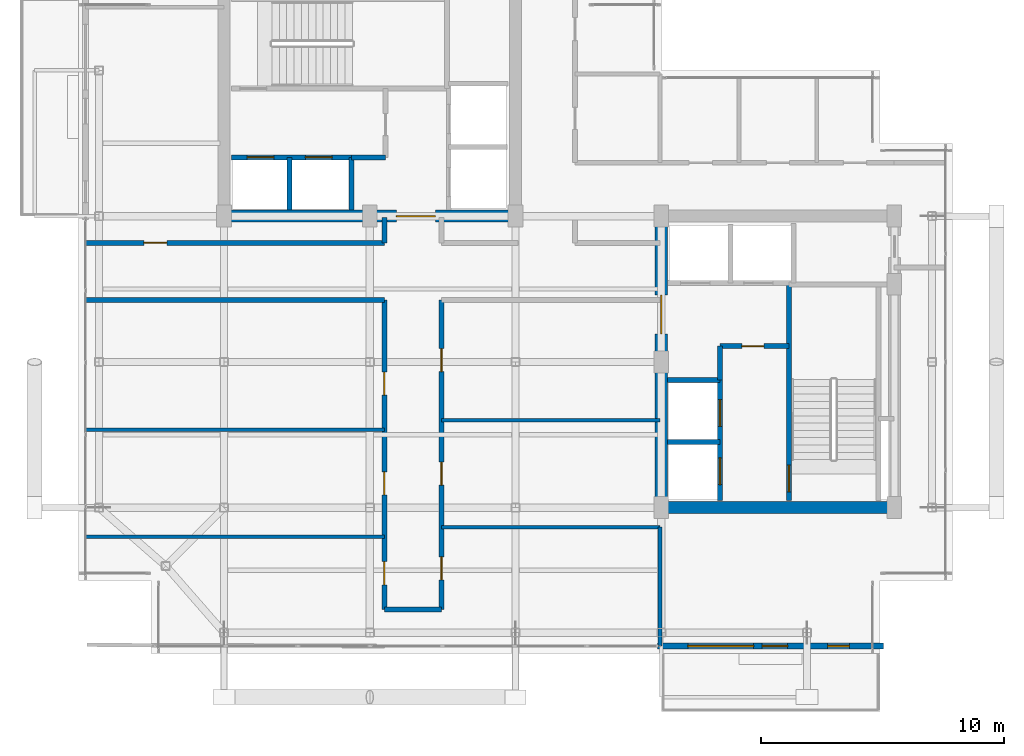
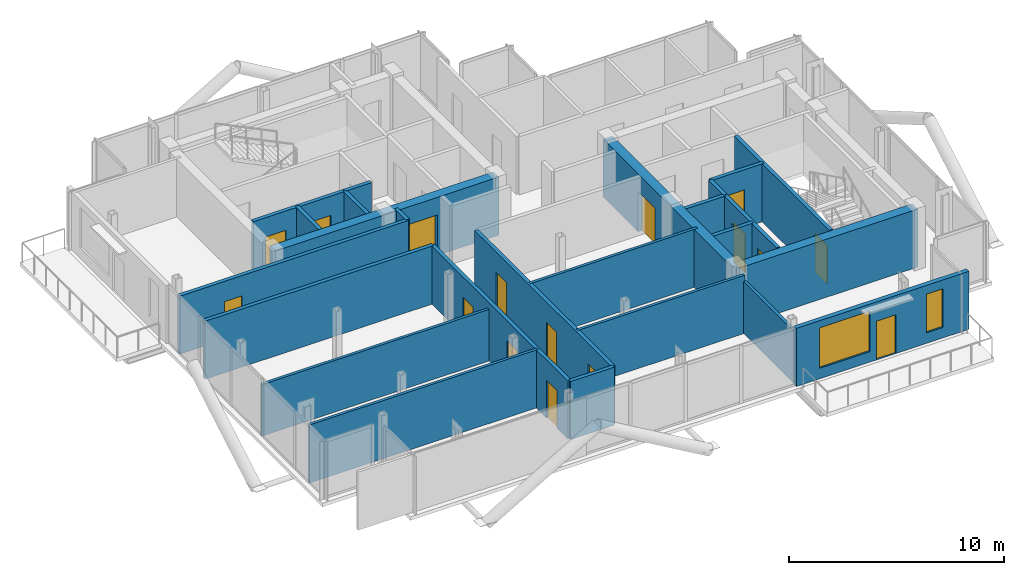
# One storey, part 15 of 19: 25 walls, 16 doors, 2 windows, 18 openings.
"""IFC4 building model written with IfcOpenShell, lengths in metres."""

import ifcopenshell
import ifcopenshell.guid

model = None  # the IFC model being written
_history = None  # IfcOwnerHistory: only IFC2X3 demands one
_inside = {}  # id of a spatial element -> (the spatial element, [elements in it])
_under = {}  # id of a project, library or spatial element -> (it, [spatial elements below it])
_declared = {}  # id of a project -> (the project, [libraries it declares])
_typed = {}  # id of a type object -> (the type object, [elements of that type])
_made_of = {}  # id of a material, layer set ... -> (it, [elements and type objects made of it])


def new_model(schema):
    """Start an empty IFC model of exactly this schema.

    Asked for "IFC4X3", IfcOpenShell would pick the latest addendum, in which some entities
    have other attributes; the version numbers below select the first issue.
    IFC2X3 requires an IfcOwnerHistory on every rooted entity: one is made here for all.
    """
    global model, _history
    if schema == "IFC4X3":
        model = ifcopenshell.file(schema_version=(4, 3, 0, 0))
    else:
        model = ifcopenshell.file(schema=schema)
    _inside.clear()
    _under.clear()
    _declared.clear()
    _typed.clear()
    _made_of.clear()
    _history = None
    if model.schema == "IFC2X3":
        org = make("IfcOrganization", Name="unknown")
        user = make(
            "IfcPersonAndOrganization",
            ThePerson=make("IfcPerson", FamilyName="unknown"),
            TheOrganization=org,
        )
        app = make(
            "IfcApplication",
            ApplicationDeveloper=org,
            Version="unknown",
            ApplicationFullName="unknown",
            ApplicationIdentifier="unknown",
        )
        _history = make(
            "IfcOwnerHistory",
            OwningUser=user,
            OwningApplication=app,
            ChangeAction="ADDED",
            CreationDate=0,
        )
    return model


def make(cls, **values):
    """One entity of the class cls with the attributes given. An attribute that is None is left unset."""
    return model.create_entity(
        cls, **{name: value for name, value in values.items() if value is not None}
    )


def rooted(cls, **values):
    """An entity with a GlobalId (a new one), such as an element, a storey or a relation."""
    return make(cls, GlobalId=ifcopenshell.guid.new(), OwnerHistory=_history, **values)


def si_unit(unit_type, name, prefix=None):
    """IfcSIUnit, for example si_unit("LENGTHUNIT", "METRE", prefix="MILLI")."""
    return make("IfcSIUnit", UnitType=unit_type, Prefix=prefix, Name=name)


def assignment(units):
    """IfcUnitAssignment: the units of a project."""
    return None if units is None else make("IfcUnitAssignment", Units=units)


def point(xyz):
    """IfcCartesianPoint."""
    return None if xyz is None else make("IfcCartesianPoint", Coordinates=xyz)


def direction(xyz):
    """IfcDirection."""
    return None if xyz is None else make("IfcDirection", DirectionRatios=xyz)


def frame(location, z_axis=None, x_axis=None):
    """IfcAxis2Placement3D, a coordinate frame: its origin and axes. An axis left out is left unset."""
    return make(
        "IfcAxis2Placement3D",
        Location=point(location),
        Axis=direction(z_axis),
        RefDirection=direction(x_axis),
    )


def frame_2d(location, x_axis=None):
    """IfcAxis2Placement2D, a coordinate frame in the plane: its origin and x axis."""
    return make(
        "IfcAxis2Placement2D", Location=point(location), RefDirection=direction(x_axis)
    )


def origin():
    """The frame at (0, 0, 0) with its axes left unset."""
    return frame((0.0, 0.0, 0.0))


def place(relative_to, where):
    """IfcLocalPlacement: puts the frame where relative to a parent placement (None: the world)."""
    return make(
        "IfcLocalPlacement", PlacementRelTo=relative_to, RelativePlacement=where
    )


def context(
    kind, dimensions, precision=None, world=None, true_north=None, identifier=None
):
    """IfcGeometricRepresentationContext, for example the 3D "Model" context."""
    return make(
        "IfcGeometricRepresentationContext",
        ContextIdentifier=identifier,
        ContextType=kind,
        CoordinateSpaceDimension=dimensions,
        Precision=precision,
        WorldCoordinateSystem=world,
        TrueNorth=true_north,
    )


def subcontext(parent, identifier, kind, view, scale=None):
    """IfcGeometricRepresentationSubContext, for example "Body" below "Model"."""
    return make(
        "IfcGeometricRepresentationSubContext",
        ContextIdentifier=identifier,
        ContextType=kind,
        ParentContext=parent,
        TargetScale=scale,
        TargetView=view,
    )


def project(units=None, contexts=None):
    """IfcProject with its units and contexts."""
    return rooted(
        "IfcProject",
        Name="project",
        RepresentationContexts=contexts,
        UnitsInContext=assignment(units),
    )


def spatial(cls, under=None, at=None, **own):
    """A site, building, storey or space (cls), placed at a placement, below another one or the project."""
    s = rooted(cls, ObjectPlacement=at, **own)
    if under is not None:
        _under.setdefault(under.id(), (under, []))[1].append(s)
    return s


def profile(cls, at=None, kind="AREA", **sizes):
    """A parametric profile (cls). Its sizes go by their IFC names, for example OverallWidth=200.0."""
    return make(cls, ProfileType=kind, Position=at, **sizes)


def rectangle(**sizes):
    """IfcRectangleProfileDef."""
    return profile("IfcRectangleProfileDef", **sizes)


def extrude(swept, where, along, depth):
    """IfcExtrudedAreaSolid: the profile swept, set in the frame where, extruded along a direction by depth."""
    return make(
        "IfcExtrudedAreaSolid",
        SweptArea=swept,
        Position=where,
        ExtrudedDirection=direction(along),
        Depth=depth,
    )


def shape(context_of_items, identifier, shape_type, items):
    """IfcShapeRepresentation: the items that make up one representation, for example the "Body"."""
    return make(
        "IfcShapeRepresentation",
        ContextOfItems=context_of_items,
        RepresentationIdentifier=identifier,
        RepresentationType=shape_type,
        Items=items,
    )


def material(Name=None, Category=None):
    """IfcMaterial."""
    return make("IfcMaterial", Name=Name, Category=Category)


def layer(
    of_material, thickness, ventilated=None, Name=None, Category=None, Priority=None
):
    """IfcMaterialLayer: one layer of a wall or slab, of a material (None: an air gap)."""
    return make(
        "IfcMaterialLayer",
        Material=of_material,
        LayerThickness=thickness,
        IsVentilated=ventilated,
        Name=Name,
        Category=Category,
        Priority=Priority,
    )


def layer_set(layers, Name=None):
    """IfcMaterialLayerSet."""
    return make("IfcMaterialLayerSet", MaterialLayers=layers, LayerSetName=Name)


def made_of(thing, what):
    """Note that an element or type object is made of a material, layer set ...; save() writes the relation."""
    if what is not None:
        _made_of.setdefault(what.id(), (what, []))[1].append(thing)
    return thing


def type_object(cls, material=None, **own):
    """A type object (cls), such as IfcWallType, which elements share."""
    return made_of(rooted(cls, **own), material)


def element(
    cls,
    number,
    at=None,
    inside=None,
    cuts=None,
    type_object=None,
    material=None,
    context=None,
    identifier="Body",
    shape_type=None,
    held_by="IfcProductDefinitionShape",
    body=None,
    shapes=None,
    **own,
):
    """One element of the class cls, such as IfcWall. Its Tag is "e" and its number.

    at: its placement. inside: the storey or other place that contains it. cuts: it is an
    opening in that element (IfcRelVoidsElement). A single representation is given by context,
    identifier, shape_type and body (its items); several are given by shapes. held_by: the class
    of the entity that holds the representations. save() writes the other relations.
    """
    e = rooted(cls, Tag="e%d" % number, ObjectPlacement=at, **own)
    if body is not None:
        shapes = [shape(context, identifier, shape_type, body)]
    if shapes is not None:
        e.Representation = make(held_by, Representations=shapes)
    if inside is not None:
        _inside.setdefault(inside.id(), (inside, []))[1].append(e)
    if cuts is not None:
        rooted(
            "IfcRelVoidsElement", RelatingBuildingElement=cuts, RelatedOpeningElement=e
        )
    if type_object is not None:
        _typed.setdefault(type_object.id(), (type_object, []))[1].append(e)
    return made_of(e, material)


def fill(opening, filler):
    """IfcRelFillsElement: the door or window that sits in an opening."""
    return rooted(
        "IfcRelFillsElement",
        RelatingOpeningElement=opening,
        RelatedBuildingElement=filler,
    )


def aggregate(whole, parts):
    """IfcRelAggregates: a whole, such as a stair, and the parts it consists of."""
    return rooted("IfcRelAggregates", RelatingObject=whole, RelatedObjects=parts)


def save(model, path):
    """Write the relations noted so far, then the file.

    IfcRelAggregates (storeys below a building ...), IfcRelContainedInSpatialStructure (elements
    in a storey), IfcRelDefinesByType, IfcRelAssociatesMaterial and IfcRelDeclares: one each for
    every whole, place, type object, material and project.
    """
    for whole, parts in _under.values():
        aggregate(whole, parts)
    for where, things in _inside.values():
        rooted(
            "IfcRelContainedInSpatialStructure",
            RelatedElements=things,
            RelatingStructure=where,
        )
    for kind, things in _typed.values():
        rooted("IfcRelDefinesByType", RelatedObjects=things, RelatingType=kind)
    for what, things in _made_of.values():
        rooted("IfcRelAssociatesMaterial", RelatedObjects=things, RelatingMaterial=what)
    for by, libraries in _declared.values():
        rooted("IfcRelDeclares", RelatingContext=by, RelatedDefinitions=libraries)
    model.write(path)


model = new_model("IFC4")

# Units and contexts
model_context = context("Model", 3, precision=1e-05, world=origin(), true_north=direction((0.0, 1.0)))
body_context = subcontext(model_context, "Body", "Model", "MODEL_VIEW")
ifc_project = project(units=[si_unit("LENGTHUNIT", "METRE"), si_unit("AREAUNIT", "SQUARE_METRE"), si_unit("VOLUMEUNIT", "CUBIC_METRE"), si_unit("PLANEANGLEUNIT", "RADIAN"), si_unit("MASSUNIT", "GRAM", prefix="KILO"), si_unit("THERMODYNAMICTEMPERATUREUNIT", "KELVIN"), si_unit("POWERUNIT", "WATT")], contexts=[model_context])

# Site, building, storey
site_placement = place(None, origin())
site = spatial("IfcSite", under=ifc_project, at=site_placement, CompositionType="ELEMENT")
building_placement = place(site_placement, origin())
building = spatial("IfcBuilding", under=site, at=building_placement, Name="Svarakhadi Broadcast Tower", CompositionType="ELEMENT")
storey_placement = place(building_placement, frame((0.0, 0.0, 271.199951171875)))
storey = spatial("IfcBuildingStorey", under=building, at=storey_placement, Name="L68", CompositionType="ELEMENT", Elevation=271.199951171875)

# Wall, openings, doors
ifc_material_1 = material(Name="Double-Stud Acoustic Studio Partition STC-62", Category="gypsum")
ifc_layer_1 = layer(ifc_material_1, 0.199951171875)
ifc_layer_set_1 = layer_set([ifc_layer_1], Name="Double-Stud Acoustic Studio Partition STC-62")
wall_type_1 = type_object("IfcWallType", Name="Wall_Acoust_200", PredefinedType="PARTITIONING", material=ifc_layer_set_1)
wall_1_placement = place(storey_placement, frame((12.60009765625, 1.800048828125, 0.0), z_axis=(0.0, 0.0, 1.0), x_axis=(0.0, 1.0, 0.0)))
wall_1 = element("IfcWall", 1, at=wall_1_placement, inside=storey, type_object=wall_type_1, Name="L68 Upper Tower Concourse Wall", PredefinedType="PARTITIONING", context=body_context, shape_type="SweptSolid", body=[
    extrude(rectangle(XDim=12.75, YDim=0.199951171875, at=frame_2d((6.375, 0.0))), origin(), (0.0, 0.0, 1.0), 3.300048828125),
])
opening_1_placement = place(wall_1_placement, frame((1.02490234375, 0.0, 0.0)))
opening_1 = element("IfcOpeningElement", 2, at=opening_1_placement, cuts=wall_1, Name="Opening D-07", PredefinedType="OPENING", context=body_context, shape_type="SweptSolid", body=[
    extrude(rectangle(XDim=0.949951171875, YDim=2.14990234375, at=frame_2d((0.47509765625, 1.074951171875))), frame((0.0, 0.10986328125, 0.0), z_axis=(0.0, -1.0, 0.0), x_axis=(1.0, 0.0, 0.0)), (0.0, 0.0, 1.0), 0.219970703125),
])
opening_2_placement = place(wall_1_placement, frame((4.72509765625, 0.0, 0.0)))
opening_2 = element("IfcOpeningElement", 3, at=opening_2_placement, cuts=wall_1, Name="Opening D-07", PredefinedType="OPENING", context=body_context, shape_type="SweptSolid", body=[
    extrude(rectangle(XDim=0.949951171875, YDim=2.14990234375, at=frame_2d((0.47509765625, 1.074951171875))), frame((0.0, 0.10986328125, 0.0), z_axis=(0.0, -1.0, 0.0), x_axis=(1.0, 0.0, 0.0)), (0.0, 0.0, 1.0), 0.219970703125),
])
opening_3_placement = place(wall_1_placement, frame((8.830078125, 0.0, 0.0)))
opening_3 = element("IfcOpeningElement", 4, at=opening_3_placement, cuts=wall_1, Name="Opening D-06", PredefinedType="OPENING", context=body_context, shape_type="SweptSolid", body=[
    extrude(rectangle(XDim=0.949951171875, YDim=2.14990234375, at=frame_2d((0.47509765625, 1.074951171875))), frame((0.0, 0.10986328125, 0.0), z_axis=(0.0, -1.0, 0.0), x_axis=(1.0, 0.0, 0.0)), (0.0, 0.0, 1.0), 0.219970703125),
])
ifc_material_2 = material(Name="Solid-Core Teak Veneer Acoustic Timber Leaf", Category="wood")
door_type_1 = type_object("IfcDoorType", Name="Door_Office_D06", OperationType="SINGLE_SWING_LEFT", PredefinedType="DOOR", material=ifc_material_2)
door_1_placement = place(opening_3_placement, origin())
door_1 = element("IfcDoor", 5, at=door_1_placement, inside=storey, type_object=door_type_1, Name="L68 Curatorial Conservation Study Door", OperationType="SINGLE_SWING_LEFT", OverallHeight=2.14990234375, OverallWidth=0.949951171875, PredefinedType="DOOR", context=body_context, shape_type="SweptSolid", body=[
    extrude(rectangle(XDim=0.949951171875, YDim=2.14990234375, at=frame_2d((0.47509765625, 1.074951171875))), frame((0.0, 0.02490234375, 0.0), z_axis=(0.0, -1.0, 0.0), x_axis=(1.0, 0.0, 0.0)), (0.0, 0.0, 1.0), 0.050048828125),
])
fill(opening_3, door_1)
door_type_2 = type_object("IfcDoorType", Name="Door_Office_D07", OperationType="SINGLE_SWING_RIGHT", PredefinedType="DOOR", material=ifc_material_2)
door_2_placement = place(opening_1_placement, origin())
door_2 = element("IfcDoor", 6, at=door_2_placement, inside=storey, type_object=door_type_2, Name="L68 Sky Conservatory Music Recital Salon Door", OperationType="SINGLE_SWING_RIGHT", OverallHeight=2.14990234375, OverallWidth=0.949951171875, PredefinedType="DOOR", context=body_context, shape_type="SweptSolid", body=[
    extrude(rectangle(XDim=0.949951171875, YDim=2.14990234375, at=frame_2d((0.47509765625, 1.074951171875))), frame((0.0, 0.02490234375, 0.0), z_axis=(0.0, -1.0, 0.0), x_axis=(1.0, 0.0, 0.0)), (0.0, 0.0, 1.0), 0.050048828125),
])
fill(opening_1, door_2)
door_3_placement = place(opening_2_placement, origin())
door_3 = element("IfcDoor", 7, at=door_3_placement, inside=storey, type_object=door_type_2, Name="L68 Private Collectors Art Gallery Door", OperationType="SINGLE_SWING_RIGHT", OverallHeight=2.14990234375, OverallWidth=0.949951171875, PredefinedType="DOOR", context=body_context, shape_type="SweptSolid", body=[
    extrude(rectangle(XDim=0.949951171875, YDim=2.14990234375, at=frame_2d((0.47509765625, 1.074951171875))), frame((0.0, 0.02490234375, 0.0), z_axis=(0.0, -1.0, 0.0), x_axis=(1.0, 0.0, 0.0)), (0.0, 0.0, 1.0), 0.050048828125),
])
fill(opening_2, door_3)

# Wall
wall_2_placement = place(storey_placement, frame((12.60009765625, 14.550048828125, 0.0), z_axis=(0.0, 0.0, 1.0), x_axis=(-1.0, 0.0, 0.0)))
element("IfcWall", 8, at=wall_2_placement, inside=storey, type_object=wall_type_1, Name="L68 Upper Tower Concourse Wall", PredefinedType="PARTITIONING", context=body_context, shape_type="SweptSolid", body=[
    extrude(rectangle(XDim=12.300048828125, YDim=0.199951171875, at=frame_2d((6.14990234375, 0.0))), origin(), (0.0, 0.0, 1.0), 3.300048828125),
])

# Wall, opening, door
wall_3_placement = place(storey_placement, frame((0.300048828125, 16.89990234375, 0.0), z_axis=(0.0, 0.0, 1.0), x_axis=(1.0, 0.0, 0.0)))
wall_3 = element("IfcWall", 9, at=wall_3_placement, inside=storey, type_object=wall_type_1, Name="L68 Upper Tower Concourse Wall", PredefinedType="PARTITIONING", context=body_context, shape_type="SweptSolid", body=[
    extrude(rectangle(XDim=12.300048828125, YDim=0.199951171875, at=frame_2d((6.14990234375, 0.0))), origin(), (0.0, 0.0, 1.0), 3.300048828125),
])
opening_4_placement = place(wall_3_placement, frame((2.39990234375, 0.0, 0.0)))
opening_4 = element("IfcOpeningElement", 10, at=opening_4_placement, cuts=wall_3, Name="Opening D-06", PredefinedType="OPENING", context=body_context, shape_type="SweptSolid", body=[
    extrude(rectangle(XDim=0.949951171875, YDim=2.14990234375, at=frame_2d((0.47509765625, 1.074951171875))), frame((0.0, 0.10986328125, 0.0), z_axis=(0.0, -1.0, 0.0), x_axis=(1.0, 0.0, 0.0)), (0.0, 0.0, 1.0), 0.219970703125),
])
door_4_placement = place(opening_4_placement, origin())
door_4 = element("IfcDoor", 11, at=door_4_placement, inside=storey, type_object=door_type_1, Name="L68 Sky Library Reading Salon Door", OperationType="SINGLE_SWING_LEFT", OverallHeight=2.14990234375, OverallWidth=0.949951171875, PredefinedType="DOOR", context=body_context, shape_type="SweptSolid", body=[
    extrude(rectangle(XDim=0.949951171875, YDim=2.14990234375, at=frame_2d((0.47509765625, 1.074951171875))), frame((0.0, 0.02490234375, 0.0), z_axis=(0.0, -1.0, 0.0), x_axis=(1.0, 0.0, 0.0)), (0.0, 0.0, 1.0), 0.050048828125),
])
fill(opening_4, door_4)

# Wall
wall_4_placement = place(storey_placement, frame((12.60009765625, 16.89990234375, 0.0), z_axis=(0.0, 0.0, 1.0), x_axis=(0.0, 1.0, 0.0)))
element("IfcWall", 12, at=wall_4_placement, inside=storey, type_object=wall_type_1, Name="L68 Upper Tower Concourse Wall", PredefinedType="PARTITIONING", context=body_context, shape_type="SweptSolid", body=[
    extrude(rectangle(XDim=1.050048828125, YDim=0.199951171875, at=frame_2d((0.52490234375, 0.0))), origin(), (0.0, 0.0, 1.0), 3.300048828125),
])

# Wall, openings, doors
wall_5_placement = place(storey_placement, frame((14.949951171875, 14.550048828125, 0.0), z_axis=(0.0, 0.0, 1.0), x_axis=(0.0, -1.0, 0.0)))
wall_5 = element("IfcWall", 13, at=wall_5_placement, inside=storey, type_object=wall_type_1, Name="L68 Upper Tower Concourse Wall", PredefinedType="PARTITIONING", context=body_context, shape_type="SweptSolid", body=[
    extrude(rectangle(XDim=12.75, YDim=0.199951171875, at=frame_2d((6.375, 0.0))), origin(), (0.0, 0.0, 1.0), 3.300048828125),
])
opening_5_placement = place(wall_5_placement, frame((10.574951171875, 0.0, 0.0)))
opening_5 = element("IfcOpeningElement", 14, at=opening_5_placement, cuts=wall_5, Name="Opening D-06", PredefinedType="OPENING", context=body_context, shape_type="SweptSolid", body=[
    extrude(rectangle(XDim=0.949951171875, YDim=2.14990234375, at=frame_2d((0.47509765625, 1.074951171875))), frame((0.0, 0.10986328125, 0.0), z_axis=(0.0, -1.0, 0.0), x_axis=(1.0, 0.0, 0.0)), (0.0, 0.0, 1.0), 0.219970703125),
])
opening_6_placement = place(wall_5_placement, frame((6.675048828125, 0.0, 0.0)))
opening_6 = element("IfcOpeningElement", 15, at=opening_6_placement, cuts=wall_5, Name="Opening D-07", PredefinedType="OPENING", context=body_context, shape_type="SweptSolid", body=[
    extrude(rectangle(XDim=0.949951171875, YDim=2.14990234375, at=frame_2d((0.47509765625, 1.074951171875))), frame((0.0, 0.10986328125, 0.0), z_axis=(0.0, -1.0, 0.0), x_axis=(1.0, 0.0, 0.0)), (0.0, 0.0, 1.0), 0.219970703125),
])
opening_7_placement = place(wall_5_placement, frame((2.0, 0.0, 0.0)))
opening_7 = element("IfcOpeningElement", 16, at=opening_7_placement, cuts=wall_5, Name="Opening D-06", PredefinedType="OPENING", context=body_context, shape_type="SweptSolid", body=[
    extrude(rectangle(XDim=0.949951171875, YDim=2.14990234375, at=frame_2d((0.47509765625, 1.074951171875))), frame((0.0, 0.10986328125, 0.0), z_axis=(0.0, -1.0, 0.0), x_axis=(1.0, 0.0, 0.0)), (0.0, 0.0, 1.0), 0.219970703125),
])
door_5_placement = place(opening_5_placement, origin())
door_5 = element("IfcDoor", 17, at=door_5_placement, inside=storey, type_object=door_type_1, Name="L68 Residents Private Study Pod 1 Door", OperationType="SINGLE_SWING_LEFT", OverallHeight=2.14990234375, OverallWidth=0.949951171875, PredefinedType="DOOR", context=body_context, shape_type="SweptSolid", body=[
    extrude(rectangle(XDim=0.949951171875, YDim=2.14990234375, at=frame_2d((0.47509765625, 1.074951171875))), frame((0.0, 0.02490234375, 0.0), z_axis=(0.0, -1.0, 0.0), x_axis=(1.0, 0.0, 0.0)), (0.0, 0.0, 1.0), 0.050048828125),
])
fill(opening_5, door_5)
door_6_placement = place(opening_7_placement, origin())
door_6 = element("IfcDoor", 18, at=door_6_placement, inside=storey, type_object=door_type_1, Name="L68 Chamber Seminar Room Door", OperationType="SINGLE_SWING_LEFT", OverallHeight=2.14990234375, OverallWidth=0.949951171875, PredefinedType="DOOR", context=body_context, shape_type="SweptSolid", body=[
    extrude(rectangle(XDim=0.949951171875, YDim=2.14990234375, at=frame_2d((0.47509765625, 1.074951171875))), frame((0.0, 0.02490234375, 0.0), z_axis=(0.0, -1.0, 0.0), x_axis=(1.0, 0.0, 0.0)), (0.0, 0.0, 1.0), 0.050048828125),
])
fill(opening_7, door_6)
door_7_placement = place(opening_6_placement, origin())
door_7 = element("IfcDoor", 19, at=door_7_placement, inside=storey, type_object=door_type_2, Name="L68 Sky Boardroom Pod Door", OperationType="SINGLE_SWING_RIGHT", OverallHeight=2.14990234375, OverallWidth=0.949951171875, PredefinedType="DOOR", context=body_context, shape_type="SweptSolid", body=[
    extrude(rectangle(XDim=0.949951171875, YDim=2.14990234375, at=frame_2d((0.47509765625, 1.074951171875))), frame((0.0, 0.02490234375, 0.0), z_axis=(0.0, -1.0, 0.0), x_axis=(1.0, 0.0, 0.0)), (0.0, 0.0, 1.0), 0.050048828125),
])
fill(opening_6, door_7)

# Wall
wall_6_placement = place(storey_placement, frame((14.949951171875, 1.800048828125, 0.0), z_axis=(0.0, 0.0, 1.0), x_axis=(-1.0, 0.0, 0.0)))
element("IfcWall", 20, at=wall_6_placement, inside=storey, type_object=wall_type_1, Name="L68 Upper Tower Concourse Wall", PredefinedType="PARTITIONING", context=body_context, shape_type="SweptSolid", body=[
    extrude(rectangle(XDim=2.349853515625, YDim=0.199951171875, at=frame_2d((1.1748046875, 0.0))), origin(), (0.0, 0.0, 1.0), 3.300048828125),
])

# Wall, openings, door, windows
ifc_material_3 = material(Name="Concrete C40/50 (IS 456 M50)", Category="concrete")
ifc_layer_2 = layer(ifc_material_3, 0.239990234375)
ifc_layer_set_2 = layer_set([ifc_layer_2], Name="Concrete C40/50 (IS 456 M50)")
wall_type_2 = type_object("IfcWallType", Name="Wall_Ext_240", PredefinedType="SOLIDWALL", material=ifc_layer_set_2)
wall_7_placement = place(storey_placement, frame((33.14501953125, 0.300048828125, 0.0), z_axis=(0.0, 0.0, 1.0), x_axis=(-1.0, 0.0, 0.0)))
wall_7 = element("IfcWall", 21, at=wall_7_placement, inside=storey, type_object=wall_type_2, Name="L68 South Tree Balcony Spandrel Wall", PredefinedType="SOLIDWALL", context=body_context, shape_type="SweptSolid", body=[
    extrude(rectangle(XDim=9.2900390625, YDim=0.239990234375, at=frame_2d((4.64501953125, 0.0))), origin(), (0.0, 0.0, 1.0), 3.300048828125),
])
opening_8_placement = place(wall_7_placement, frame((3.945068359375, 0.0, 0.0)))
opening_8 = element("IfcOpeningElement", 22, at=opening_8_placement, cuts=wall_7, Name="Opening ED-06", PredefinedType="OPENING", context=body_context, shape_type="SweptSolid", body=[
    extrude(rectangle(XDim=1.050048828125, YDim=2.199951171875, at=frame_2d((0.52490234375, 1.10009765625))), frame((0.0, 0.1298828125, 0.0), z_axis=(0.0, -1.0, 0.0), x_axis=(1.0, 0.0, 0.0)), (0.0, 0.0, 1.0), 0.260009765625),
])
opening_9_placement = place(wall_7_placement, frame((5.344970703125, 0.0, 0.60009765625)))
opening_9 = element("IfcOpeningElement", 23, at=opening_9_placement, cuts=wall_7, Name="Opening WN-07", PredefinedType="OPENING", context=body_context, shape_type="SweptSolid", body=[
    extrude(rectangle(XDim=2.699951171875, YDim=2.300048828125, at=frame_2d((1.35009765625, 1.14990234375))), frame((0.0, 0.1298828125, 0.0), z_axis=(0.0, -1.0, 0.0), x_axis=(1.0, 0.0, 0.0)), (0.0, 0.0, 1.0), 0.260009765625),
])
opening_10_placement = place(wall_7_placement, frame((1.39990234375, 0.0, 0.60009765625)))
opening_10 = element("IfcOpeningElement", 24, at=opening_10_placement, cuts=wall_7, Name="Opening WN-04", PredefinedType="OPENING", context=body_context, shape_type="SweptSolid", body=[
    extrude(rectangle(XDim=0.89990234375, YDim=2.199951171875, at=frame_2d((0.449951171875, 1.10009765625))), frame((0.0, 0.1298828125, 0.0), z_axis=(0.0, -1.0, 0.0), x_axis=(1.0, 0.0, 0.0)), (0.0, 0.0, 1.0), 0.260009765625),
])
ifc_material_4 = material(Name="Anodised Bronze Aluminium AA 6063-T6", Category="aluminium")
door_type_3 = type_object("IfcDoorType", Name="Door_Ext_ED06", OperationType="SINGLE_SWING_RIGHT", PredefinedType="DOOR", material=ifc_material_4)
door_8_placement = place(opening_8_placement, origin())
door_8 = element("IfcDoor", 25, at=door_8_placement, inside=storey, type_object=door_type_3, Name="L68 South Tree Balcony Door", OperationType="SINGLE_SWING_RIGHT", OverallHeight=2.199951171875, OverallWidth=1.050048828125, PredefinedType="DOOR", context=body_context, shape_type="SweptSolid", body=[
    extrude(rectangle(XDim=1.050048828125, YDim=2.199951171875, at=frame_2d((0.52490234375, 1.10009765625))), frame((0.0, 0.02490234375, 0.0), z_axis=(0.0, -1.0, 0.0), x_axis=(1.0, 0.0, 0.0)), (0.0, 0.0, 1.0), 0.050048828125),
])
fill(opening_8, door_8)
ifc_material_5 = material(Name="Double Low-E Laminated Acoustic Glass IGU 36 mm", Category="glass")
window_type_1 = type_object("IfcWindowType", Name="Win_Resi_WN07", PartitioningType="SINGLE_PANEL", PredefinedType="WINDOW", material=ifc_material_5)
window_1_placement = place(opening_9_placement, origin())
window_1 = element("IfcWindow", 26, at=window_1_placement, inside=storey, type_object=window_type_1, Name="L68 South Tree Balcony Window", OverallHeight=2.300048828125, OverallWidth=2.699951171875, PartitioningType="SINGLE_PANEL", PredefinedType="WINDOW", context=body_context, shape_type="SweptSolid", body=[
    extrude(rectangle(XDim=2.699951171875, YDim=2.300048828125, at=frame_2d((1.35009765625, 1.14990234375))), frame((0.0, 0.030029296875, 0.0), z_axis=(0.0, -1.0, 0.0), x_axis=(1.0, 0.0, 0.0)), (0.0, 0.0, 1.0), 0.06005859375),
])
fill(opening_9, window_1)
window_type_2 = type_object("IfcWindowType", Name="Win_Slot_WN04", PartitioningType="SINGLE_PANEL", PredefinedType="WINDOW", material=ifc_material_5)
window_2_placement = place(opening_10_placement, origin())
window_2 = element("IfcWindow", 27, at=window_2_placement, inside=storey, type_object=window_type_2, Name="L68 South Primary Bedroom Slot Window", OverallHeight=2.199951171875, OverallWidth=0.89990234375, PartitioningType="SINGLE_PANEL", PredefinedType="WINDOW", context=body_context, shape_type="SweptSolid", body=[
    extrude(rectangle(XDim=0.89990234375, YDim=2.199951171875, at=frame_2d((0.449951171875, 1.10009765625))), frame((0.0, 0.030029296875, 0.0), z_axis=(0.0, -1.0, 0.0), x_axis=(1.0, 0.0, 0.0)), (0.0, 0.0, 1.0), 0.06005859375),
])
fill(opening_10, window_2)

# Walls
ifc_material_6 = material(Name="Autoclaved Aerated Concrete Blockwork 150 mm", Category="masonry")
ifc_layer_3 = layer(ifc_material_6, 0.14990234375)
ifc_layer_set_3 = layer_set([ifc_layer_3], Name="Autoclaved Aerated Concrete Blockwork 150 mm")
wall_type_3 = type_object("IfcWallType", Name="Wall_Part_150", PredefinedType="PARTITIONING", material=ifc_layer_set_3)
wall_8_placement = place(storey_placement, frame((0.300048828125, 4.800048828125, 0.0), z_axis=(0.0, 0.0, 1.0), x_axis=(1.0, 0.0, 0.0)))
element("IfcWall", 28, at=wall_8_placement, inside=storey, type_object=wall_type_3, Name="L68 Sky Conservatory Music Recital Salon Wall", PredefinedType="PARTITIONING", context=body_context, shape_type="SweptSolid", body=[
    extrude(rectangle(XDim=12.300048828125, YDim=0.14990234375, at=frame_2d((6.14990234375, 0.0))), origin(), (0.0, 0.0, 1.0), 3.300048828125),
])
wall_9_placement = place(storey_placement, frame((0.300048828125, 9.199951171875, 0.0), z_axis=(0.0, 0.0, 1.0), x_axis=(1.0, 0.0, 0.0)))
element("IfcWall", 29, at=wall_9_placement, inside=storey, type_object=wall_type_3, Name="L68 Private Collectors Art Gallery Wall", PredefinedType="PARTITIONING", context=body_context, shape_type="SweptSolid", body=[
    extrude(rectangle(XDim=12.300048828125, YDim=0.14990234375, at=frame_2d((6.14990234375, 0.0))), origin(), (0.0, 0.0, 1.0), 2.93212890625),
])
wall_10_placement = place(storey_placement, frame((14.949951171875, 5.199951171875, 0.0), z_axis=(0.0, 0.0, 1.0), x_axis=(1.0, 0.0, 0.0)))
element("IfcWall", 30, at=wall_10_placement, inside=storey, type_object=wall_type_3, Name="L68 Residents Private Study Pod 1 Wall", PredefinedType="PARTITIONING", context=body_context, shape_type="SweptSolid", body=[
    extrude(rectangle(XDim=9.0, YDim=0.14990234375, at=frame_2d((4.5, 0.0))), origin(), (0.0, 0.0, 1.0), 3.300048828125),
])
wall_11_placement = place(storey_placement, frame((23.949951171875, 0.300048828125, 0.0), z_axis=(0.0, 0.0, 1.0), x_axis=(0.0, 1.0, 0.0)))
element("IfcWall", 31, at=wall_11_placement, inside=storey, type_object=wall_type_3, Name="L68 Residents Private Study Pod 1 Wall", PredefinedType="PARTITIONING", context=body_context, shape_type="SweptSolid", body=[
    extrude(rectangle(XDim=4.89990234375, YDim=0.14990234375, at=frame_2d((2.449951171875, 0.0))), origin(), (0.0, 0.0, 1.0), 2.967041015625),
])
wall_12_placement = place(storey_placement, frame((14.949951171875, 9.60009765625, 0.0), z_axis=(0.0, 0.0, 1.0), x_axis=(1.0, 0.0, 0.0)))
element("IfcWall", 32, at=wall_12_placement, inside=storey, type_object=wall_type_3, Name="L68 Sky Boardroom Pod Wall", PredefinedType="PARTITIONING", context=body_context, shape_type="SweptSolid", body=[
    extrude(rectangle(XDim=9.0, YDim=0.14990234375, at=frame_2d((4.5, 0.0))), origin(), (0.0, 0.0, 1.0), 3.300048828125),
])

# Wall, opening, door
ifc_material_7 = material(Name="Concrete C50/60 (IS 456 M60)", Category="concrete")
ifc_layer_4 = layer(ifc_material_7, 0.199951171875)
ifc_layer_set_4 = layer_set([ifc_layer_4], Name="Concrete C50/60 (IS 456 M60)")
wall_type_4 = type_object("IfcWallType", Name="Wall_Shear_200", PredefinedType="SHEAR", material=ifc_layer_set_4)
wall_13_placement = place(storey_placement, frame((29.260009765625, 6.300048828125, 0.0), z_axis=(0.0, 0.0, 1.0), x_axis=(0.0, 1.0, 0.0)))
wall_13 = element("IfcWall", 33, at=wall_13_placement, inside=storey, type_object=wall_type_4, Name="L68 Stair ST-02 West RC Shaft Wall", PredefinedType="SHEAR", context=body_context, shape_type="SweptSolid", body=[
    extrude(rectangle(XDim=8.8798828125, YDim=0.199951171875, at=frame_2d((4.43994140625, 0.0))), origin(), (0.0, 0.0, 1.0), 3.300048828125),
])
opening_11_placement = place(wall_13_placement, frame((0.35009765625, 0.0, 0.0)))
opening_11 = element("IfcOpeningElement", 34, at=opening_11_placement, cuts=wall_13, Name="Opening D-02", PredefinedType="OPENING", context=body_context, shape_type="SweptSolid", body=[
    extrude(rectangle(XDim=1.10009765625, YDim=2.199951171875, at=frame_2d((0.550048828125, 1.10009765625))), frame((0.0, 0.10986328125, 0.0), z_axis=(0.0, -1.0, 0.0), x_axis=(1.0, 0.0, 0.0)), (0.0, 0.0, 1.0), 0.219970703125),
])
ifc_material_8 = material(Name="Galvanised Powder-Coated Fire-Rated Steel Leaf", Category="steel")
door_type_4 = type_object("IfcDoorType", Name="Door_Stair_D02", OperationType="SINGLE_SWING_RIGHT", PredefinedType="DOOR", material=ifc_material_8)
door_9_placement = place(opening_11_placement, origin())
door_9 = element("IfcDoor", 35, at=door_9_placement, inside=storey, type_object=door_type_4, Name="L68 Protected Exit Stair ST-02 Fire Door", OperationType="SINGLE_SWING_RIGHT", OverallHeight=2.199951171875, OverallWidth=1.10009765625, PredefinedType="DOOR", context=body_context, shape_type="SweptSolid", body=[
    extrude(rectangle(XDim=1.10009765625, YDim=2.199951171875, at=frame_2d((0.550048828125, 1.10009765625))), frame((0.0, 0.02490234375, 0.0), z_axis=(0.0, -1.0, 0.0), x_axis=(1.0, 0.0, 0.0)), (0.0, 0.0, 1.0), 0.050048828125),
])
fill(opening_11, door_9)

# Wall, openings, doors
wall_14_placement = place(storey_placement, frame((6.300048828125, 20.419921875, 0.0), z_axis=(0.0, 0.0, 1.0), x_axis=(1.0, 0.0, 0.0)))
wall_14 = element("IfcWall", 36, at=wall_14_placement, inside=storey, type_object=wall_type_4, Name="L68 Firefighting Lift LF-01/02 Shaft Wall", PredefinedType="SHEAR", context=body_context, shape_type="SweptSolid", body=[
    extrude(rectangle(XDim=4.949951171875, YDim=0.199951171875, at=frame_2d((2.47509765625, 0.0))), origin(), (0.0, 0.0, 1.0), 3.300048828125),
])
opening_12_placement = place(wall_14_placement, frame((0.64990234375, 0.0, 0.0)))
opening_12 = element("IfcOpeningElement", 37, at=opening_12_placement, cuts=wall_14, Name="Opening LD-01", PredefinedType="OPENING", context=body_context, shape_type="SweptSolid", body=[
    extrude(rectangle(XDim=1.10009765625, YDim=2.199951171875, at=frame_2d((0.550048828125, 1.10009765625))), frame((0.0, 0.10986328125, 0.0), z_axis=(0.0, -1.0, 0.0), x_axis=(1.0, 0.0, 0.0)), (0.0, 0.0, 1.0), 0.219970703125),
])
opening_13_placement = place(wall_14_placement, frame((3.050048828125, 0.0, 0.0)))
opening_13 = element("IfcOpeningElement", 38, at=opening_13_placement, cuts=wall_14, Name="Opening LD-01", PredefinedType="OPENING", context=body_context, shape_type="SweptSolid", body=[
    extrude(rectangle(XDim=1.10009765625, YDim=2.199951171875, at=frame_2d((0.550048828125, 1.10009765625))), frame((0.0, 0.10986328125, 0.0), z_axis=(0.0, -1.0, 0.0), x_axis=(1.0, 0.0, 0.0)), (0.0, 0.0, 1.0), 0.219970703125),
])
door_type_5 = type_object("IfcDoorType", Name="Door_Lift_LD01", OperationType="SLIDING_TO_LEFT", PredefinedType="DOOR", material=ifc_material_8)
door_10_placement = place(opening_12_placement, origin())
door_10 = element("IfcDoor", 39, at=door_10_placement, inside=storey, type_object=door_type_5, Name="L68 Firefighting Lift LF-01 Landing Door", OperationType="SLIDING_TO_LEFT", OverallHeight=2.199951171875, OverallWidth=1.10009765625, PredefinedType="DOOR", context=body_context, shape_type="SweptSolid", body=[
    extrude(rectangle(XDim=1.10009765625, YDim=2.199951171875, at=frame_2d((0.550048828125, 1.10009765625))), frame((0.0, 0.02490234375, 0.0), z_axis=(0.0, -1.0, 0.0), x_axis=(1.0, 0.0, 0.0)), (0.0, 0.0, 1.0), 0.050048828125),
])
fill(opening_12, door_10)
door_11_placement = place(opening_13_placement, origin())
door_11 = element("IfcDoor", 40, at=door_11_placement, inside=storey, type_object=door_type_5, Name="L68 Firefighting Lift LF-02 Landing Door", OperationType="SLIDING_TO_LEFT", OverallHeight=2.199951171875, OverallWidth=1.10009765625, PredefinedType="DOOR", context=body_context, shape_type="SweptSolid", body=[
    extrude(rectangle(XDim=1.10009765625, YDim=2.199951171875, at=frame_2d((0.550048828125, 1.10009765625))), frame((0.0, 0.02490234375, 0.0), z_axis=(0.0, -1.0, 0.0), x_axis=(1.0, 0.0, 0.0)), (0.0, 0.0, 1.0), 0.050048828125),
])
fill(opening_13, door_11)

# Walls
for number, where, z_axis, x_axis, name in (
    (41, (8.699951171875, 18.25, 0.0), (0.0, 0.0, 1.0), (0.0, 1.0, 0.0), "L68 Firefighting Lift LF-01/02 Divider Wall"),
    (42, (11.25, 18.25, 0.0), (0.0, 0.0, 1.0), (0.0, 1.0, 0.0), "L68 Firefighting Lift LF-02 East Wall"),
):
    element("IfcWall", number, at=place(storey_placement, frame(where, z_axis=z_axis, x_axis=x_axis)), inside=storey, type_object=wall_type_4, Name=name, PredefinedType="SHEAR", context=body_context, shape_type="SweptSolid", body=[
        extrude(rectangle(XDim=2.169921875, YDim=0.199951171875, at=frame_2d((1.0849609375, 0.0))), origin(), (0.0, 0.0, 1.0), 3.300048828125),
    ])
wall_15_placement = place(storey_placement, frame((11.25, 20.419921875, 0.0), z_axis=(0.0, 0.0, 1.0), x_axis=(1.0, 0.0, 0.0)))
element("IfcWall", 43, at=wall_15_placement, inside=storey, type_object=wall_type_4, Name="L68 West Firefighting Lobby South Wall", PredefinedType="SHEAR", context=body_context, shape_type="SweptSolid", body=[
    extrude(rectangle(XDim=1.39990234375, YDim=0.199951171875, at=frame_2d((0.699951171875, 0.0))), origin(), (0.0, 0.0, 1.0), 3.300048828125),
])

# Wall, openings, doors
wall_16_placement = place(storey_placement, frame((26.419921875, 6.300048828125, 0.0), z_axis=(0.0, 0.0, 1.0), x_axis=(0.0, 1.0, 0.0)))
wall_16 = element("IfcWall", 44, at=wall_16_placement, inside=storey, type_object=wall_type_4, Name="L68 Firefighting Lift LF-03/04 Shaft Wall", PredefinedType="SHEAR", context=body_context, shape_type="SweptSolid", body=[
    extrude(rectangle(XDim=4.949951171875, YDim=0.199951171875, at=frame_2d((2.47509765625, 0.0))), origin(), (0.0, 0.0, 1.0), 3.300048828125),
])
opening_14_placement = place(wall_16_placement, frame((0.64990234375, 0.0, 0.0)))
opening_14 = element("IfcOpeningElement", 45, at=opening_14_placement, cuts=wall_16, Name="Opening LD-01", PredefinedType="OPENING", context=body_context, shape_type="SweptSolid", body=[
    extrude(rectangle(XDim=1.10009765625, YDim=2.199951171875, at=frame_2d((0.550048828125, 1.10009765625))), frame((0.0, 0.10986328125, 0.0), z_axis=(0.0, -1.0, 0.0), x_axis=(1.0, 0.0, 0.0)), (0.0, 0.0, 1.0), 0.219970703125),
])
opening_15_placement = place(wall_16_placement, frame((3.050048828125, 0.0, 0.0)))
opening_15 = element("IfcOpeningElement", 46, at=opening_15_placement, cuts=wall_16, Name="Opening LD-01", PredefinedType="OPENING", context=body_context, shape_type="SweptSolid", body=[
    extrude(rectangle(XDim=1.10009765625, YDim=2.199951171875, at=frame_2d((0.550048828125, 1.10009765625))), frame((0.0, 0.10986328125, 0.0), z_axis=(0.0, -1.0, 0.0), x_axis=(1.0, 0.0, 0.0)), (0.0, 0.0, 1.0), 0.219970703125),
])
door_12_placement = place(opening_14_placement, origin())
door_12 = element("IfcDoor", 47, at=door_12_placement, inside=storey, type_object=door_type_5, Name="L68 Firefighting Lift LF-03 Landing Door", OperationType="SLIDING_TO_LEFT", OverallHeight=2.199951171875, OverallWidth=1.10009765625, PredefinedType="DOOR", context=body_context, shape_type="SweptSolid", body=[
    extrude(rectangle(XDim=1.10009765625, YDim=2.199951171875, at=frame_2d((0.550048828125, 1.10009765625))), frame((0.0, 0.02490234375, 0.0), z_axis=(0.0, -1.0, 0.0), x_axis=(1.0, 0.0, 0.0)), (0.0, 0.0, 1.0), 0.050048828125),
])
fill(opening_14, door_12)
door_13_placement = place(opening_15_placement, origin())
door_13 = element("IfcDoor", 48, at=door_13_placement, inside=storey, type_object=door_type_5, Name="L68 Firefighting Lift LF-04 Landing Door", OperationType="SLIDING_TO_LEFT", OverallHeight=2.199951171875, OverallWidth=1.10009765625, PredefinedType="DOOR", context=body_context, shape_type="SweptSolid", body=[
    extrude(rectangle(XDim=1.10009765625, YDim=2.199951171875, at=frame_2d((0.550048828125, 1.10009765625))), frame((0.0, 0.02490234375, 0.0), z_axis=(0.0, -1.0, 0.0), x_axis=(1.0, 0.0, 0.0)), (0.0, 0.0, 1.0), 0.050048828125),
])
fill(opening_15, door_13)

# Walls
for number, where, z_axis, x_axis, name in (
    (49, (24.25, 8.699951171875, 0.0), (0.0, 0.0, 1.0), (1.0, 0.0, 0.0), "L68 Firefighting Lift LF-03/04 Divider Wall"),
    (50, (24.25, 11.25, 0.0), (0.0, 0.0, 1.0), (1.0, 0.0, 0.0), "L68 Firefighting Lift LF-04 North Wall"),
):
    element("IfcWall", number, at=place(storey_placement, frame(where, z_axis=z_axis, x_axis=x_axis)), inside=storey, type_object=wall_type_4, Name=name, PredefinedType="SHEAR", context=body_context, shape_type="SweptSolid", body=[
        extrude(rectangle(XDim=2.169921875, YDim=0.199951171875, at=frame_2d((1.0849609375, 0.0))), origin(), (0.0, 0.0, 1.0), 3.300048828125),
    ])
wall_17_placement = place(storey_placement, frame((26.419921875, 11.25, 0.0), z_axis=(0.0, 0.0, 1.0), x_axis=(0.0, 1.0, 0.0)))
element("IfcWall", 51, at=wall_17_placement, inside=storey, type_object=wall_type_4, Name="L68 East Firefighting Lobby West Wall", PredefinedType="SHEAR", context=body_context, shape_type="SweptSolid", body=[
    extrude(rectangle(XDim=1.39990234375, YDim=0.199951171875, at=frame_2d((0.699951171875, 0.0))), origin(), (0.0, 0.0, 1.0), 3.300048828125),
])

# Wall, opening, door
wall_18_placement = place(storey_placement, frame((26.419921875, 12.64990234375, 0.0), z_axis=(0.0, 0.0, 1.0), x_axis=(1.0, 0.0, 0.0)))
wall_18 = element("IfcWall", 52, at=wall_18_placement, inside=storey, type_object=wall_type_4, Name="L68 East Firefighting Lobby North Wall", PredefinedType="SHEAR", context=body_context, shape_type="SweptSolid", body=[
    extrude(rectangle(XDim=2.840087890625, YDim=0.199951171875, at=frame_2d((1.419921875, 0.0))), origin(), (0.0, 0.0, 1.0), 3.300048828125),
])
opening_16_placement = place(wall_18_placement, frame((0.89990234375, 0.0, 0.0)))
opening_16 = element("IfcOpeningElement", 53, at=opening_16_placement, cuts=wall_18, Name="Opening D-03", PredefinedType="OPENING", context=body_context, shape_type="SweptSolid", body=[
    extrude(rectangle(XDim=0.89990234375, YDim=2.14990234375, at=frame_2d((0.449951171875, 1.074951171875))), frame((0.0, 0.10986328125, 0.0), z_axis=(0.0, -1.0, 0.0), x_axis=(1.0, 0.0, 0.0)), (0.0, 0.0, 1.0), 0.219970703125),
])
door_type_6 = type_object("IfcDoorType", Name="Door_Fire_D03", OperationType="SINGLE_SWING_LEFT", PredefinedType="DOOR", material=ifc_material_8)
door_14_placement = place(opening_16_placement, origin())
door_14 = element("IfcDoor", 54, at=door_14_placement, inside=storey, type_object=door_type_6, Name="L68 East Firefighting Lobby Fire Door", OperationType="SINGLE_SWING_LEFT", OverallHeight=2.14990234375, OverallWidth=0.89990234375, PredefinedType="DOOR", context=body_context, shape_type="SweptSolid", body=[
    extrude(rectangle(XDim=0.89990234375, YDim=2.14990234375, at=frame_2d((0.449951171875, 1.074951171875))), frame((0.0, 0.02490234375, 0.0), z_axis=(0.0, -1.0, 0.0), x_axis=(1.0, 0.0, 0.0)), (0.0, 0.0, 1.0), 0.050048828125),
])
fill(opening_16, door_14)

ifc_layer_5 = layer(ifc_material_7, 0.5)
ifc_layer_set_5 = layer_set([ifc_layer_5], Name="Concrete C50/60 (IS 456 M60)")
wall_type_5 = type_object("IfcWallType", Name="Wall_Shear_500", PredefinedType="SHEAR", material=ifc_layer_set_5)
wall_19_placement = place(storey_placement, frame((6.0, 18.0, 0.0), z_axis=(0.0, 0.0, 1.0), x_axis=(1.0, 0.0, 0.0)))
wall_19 = element("IfcWall", 55, at=wall_19_placement, inside=storey, type_object=wall_type_5, Name="L68 West Core South Shear Wall", PredefinedType="SHEAR", context=body_context, shape_type="SweptSolid", body=[
    extrude(rectangle(XDim=12.0, YDim=0.5, at=frame_2d((6.0, 0.0))), origin(), (0.0, 0.0, 1.0), 3.300048828125),
])
opening_17_placement = place(wall_19_placement, frame((7.10009765625, 0.0, 0.0)))
opening_17 = element("IfcOpeningElement", 56, at=opening_17_placement, cuts=wall_19, Name="Opening D-05", PredefinedType="OPENING", context=body_context, shape_type="SweptSolid", body=[
    extrude(rectangle(XDim=1.60009765625, YDim=2.300048828125, at=frame_2d((0.800048828125, 1.14990234375))), frame((0.0, 0.260009765625, 0.0), z_axis=(0.0, -1.0, 0.0), x_axis=(1.0, 0.0, 0.0)), (0.0, 0.0, 1.0), 0.52001953125),
])
door_type_7 = type_object("IfcDoorType", Name="Door_Lobby_D05", OperationType="DOUBLE_DOOR_SLIDING", PredefinedType="DOOR", material=ifc_material_4)
door_15_placement = place(opening_17_placement, origin())
door_15 = element("IfcDoor", 57, at=door_15_placement, inside=storey, type_object=door_type_7, Name="L68 West Core Passenger Lift Lobby Entrance Door", OperationType="DOUBLE_DOOR_SLIDING", OverallHeight=2.300048828125, OverallWidth=1.60009765625, PredefinedType="DOOR", context=body_context, shape_type="SweptSolid", body=[
    extrude(rectangle(XDim=1.60009765625, YDim=2.300048828125, at=frame_2d((0.800048828125, 1.14990234375))), frame((0.0, 0.02490234375, 0.0), z_axis=(0.0, -1.0, 0.0), x_axis=(1.0, 0.0, 0.0)), (0.0, 0.0, 1.0), 0.050048828125),
])
fill(opening_17, door_15)

# Wall
wall_20_placement = place(storey_placement, frame((24.0, 6.0, 0.0), z_axis=(0.0, 0.0, 1.0), x_axis=(1.0, 0.0, 0.0)))
element("IfcWall", 58, at=wall_20_placement, inside=storey, type_object=wall_type_5, Name="L68 East Core South Shear Wall", PredefinedType="SHEAR", context=body_context, shape_type="SweptSolid", body=[
    extrude(rectangle(XDim=9.60009765625, YDim=0.5, at=frame_2d((4.800048828125, 0.0))), origin(), (0.0, 0.0, 1.0), 3.300048828125),
])

# Wall, opening, door
wall_21_placement = place(storey_placement, frame((24.0, 6.0, 0.0), z_axis=(0.0, 0.0, 1.0), x_axis=(0.0, 1.0, 0.0)))
wall_21 = element("IfcWall", 59, at=wall_21_placement, inside=storey, type_object=wall_type_5, Name="L68 East Core West Shear Wall", PredefinedType="SHEAR", context=body_context, shape_type="SweptSolid", body=[
    extrude(rectangle(XDim=12.0, YDim=0.5, at=frame_2d((6.0, 0.0))), origin(), (0.0, 0.0, 1.0), 3.300048828125),
])
opening_18_placement = place(wall_21_placement, frame((7.14990234375, 0.0, 0.0)))
opening_18 = element("IfcOpeningElement", 60, at=opening_18_placement, cuts=wall_21, Name="Opening D-05", PredefinedType="OPENING", context=body_context, shape_type="SweptSolid", body=[
    extrude(rectangle(XDim=1.60009765625, YDim=2.300048828125, at=frame_2d((0.800048828125, 1.14990234375))), frame((0.0, 0.260009765625, 0.0), z_axis=(0.0, -1.0, 0.0), x_axis=(1.0, 0.0, 0.0)), (0.0, 0.0, 1.0), 0.52001953125),
])
door_16_placement = place(opening_18_placement, origin())
door_16 = element("IfcDoor", 61, at=door_16_placement, inside=storey, type_object=door_type_7, Name="L68 East Core Passenger Lift Lobby Entrance Door", OperationType="DOUBLE_DOOR_SLIDING", OverallHeight=2.300048828125, OverallWidth=1.60009765625, PredefinedType="DOOR", context=body_context, shape_type="SweptSolid", body=[
    extrude(rectangle(XDim=1.60009765625, YDim=2.300048828125, at=frame_2d((0.800048828125, 1.14990234375))), frame((0.0, 0.02490234375, 0.0), z_axis=(0.0, -1.0, 0.0), x_axis=(1.0, 0.0, 0.0)), (0.0, 0.0, 1.0), 0.050048828125),
])
fill(opening_18, door_16)

save(model, "model.ifc")
